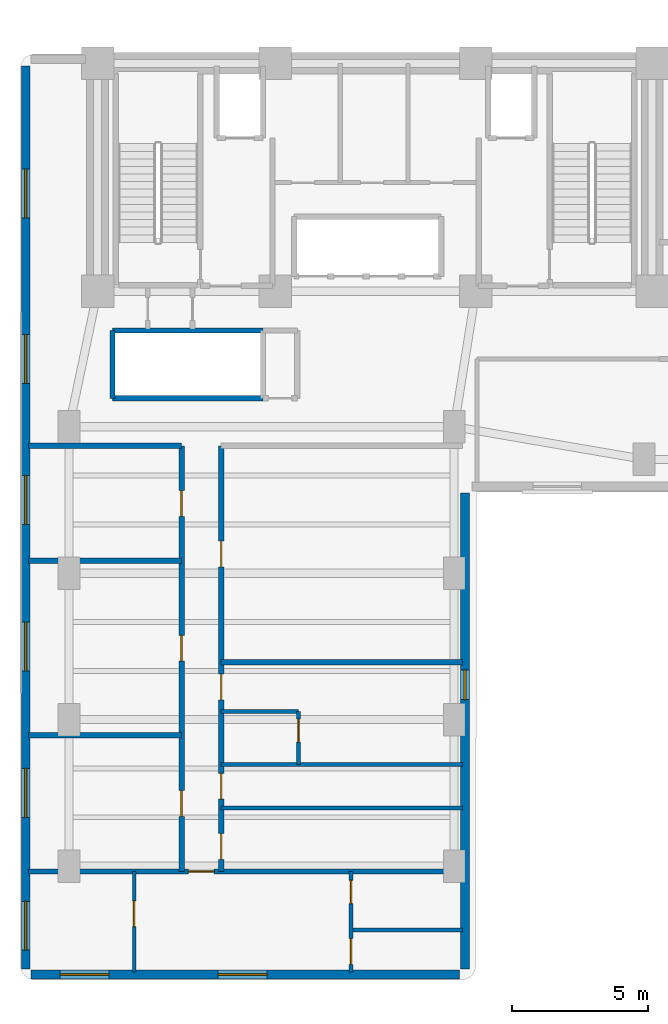
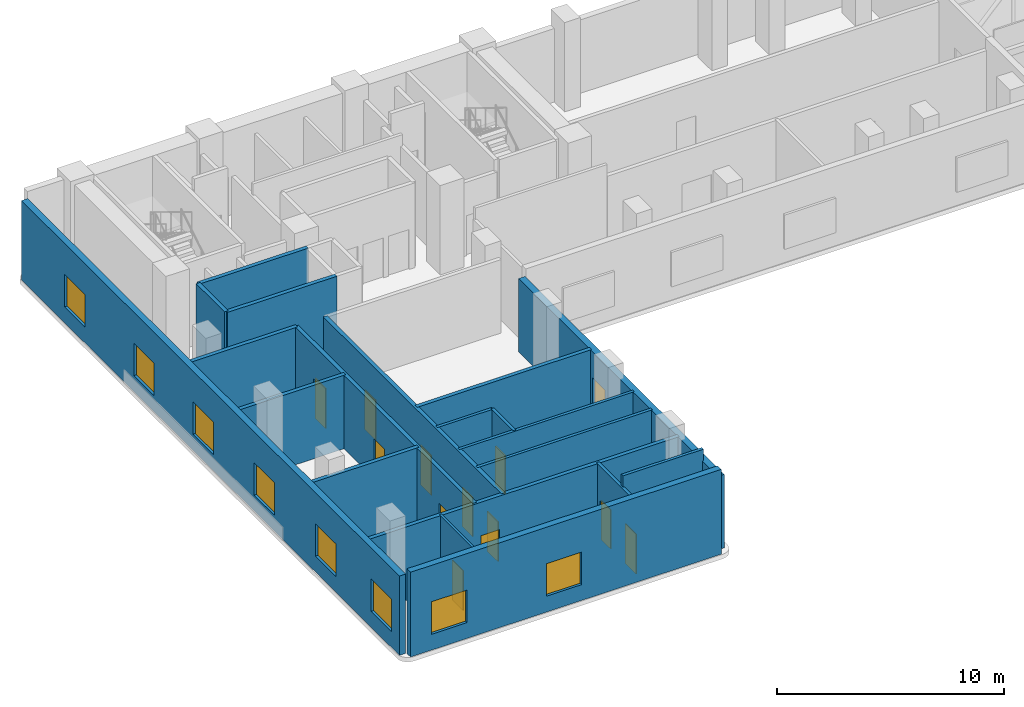
# One storey, part 11 of 17: 20 walls, 12 doors, 9 windows, 21 openings.
"""IFC4 building model written with IfcOpenShell, lengths in metres."""

import ifcopenshell
import ifcopenshell.guid

model = None  # the IFC model being written
_history = None  # IfcOwnerHistory: only IFC2X3 demands one
_inside = {}  # id of a spatial element -> (the spatial element, [elements in it])
_under = {}  # id of a project, library or spatial element -> (it, [spatial elements below it])
_declared = {}  # id of a project -> (the project, [libraries it declares])
_typed = {}  # id of a type object -> (the type object, [elements of that type])
_made_of = {}  # id of a material, layer set ... -> (it, [elements and type objects made of it])


def new_model(schema):
    """Start an empty IFC model of exactly this schema.

    Asked for "IFC4X3", IfcOpenShell would pick the latest addendum, in which some entities
    have other attributes; the version numbers below select the first issue.
    IFC2X3 requires an IfcOwnerHistory on every rooted entity: one is made here for all.
    """
    global model, _history
    if schema == "IFC4X3":
        model = ifcopenshell.file(schema_version=(4, 3, 0, 0))
    else:
        model = ifcopenshell.file(schema=schema)
    _inside.clear()
    _under.clear()
    _declared.clear()
    _typed.clear()
    _made_of.clear()
    _history = None
    if model.schema == "IFC2X3":
        org = make("IfcOrganization", Name="unknown")
        user = make(
            "IfcPersonAndOrganization",
            ThePerson=make("IfcPerson", FamilyName="unknown"),
            TheOrganization=org,
        )
        app = make(
            "IfcApplication",
            ApplicationDeveloper=org,
            Version="unknown",
            ApplicationFullName="unknown",
            ApplicationIdentifier="unknown",
        )
        _history = make(
            "IfcOwnerHistory",
            OwningUser=user,
            OwningApplication=app,
            ChangeAction="ADDED",
            CreationDate=0,
        )
    return model


def make(cls, **values):
    """One entity of the class cls with the attributes given. An attribute that is None is left unset."""
    return model.create_entity(
        cls, **{name: value for name, value in values.items() if value is not None}
    )


def rooted(cls, **values):
    """An entity with a GlobalId (a new one), such as an element, a storey or a relation."""
    return make(cls, GlobalId=ifcopenshell.guid.new(), OwnerHistory=_history, **values)


def si_unit(unit_type, name, prefix=None):
    """IfcSIUnit, for example si_unit("LENGTHUNIT", "METRE", prefix="MILLI")."""
    return make("IfcSIUnit", UnitType=unit_type, Prefix=prefix, Name=name)


def assignment(units):
    """IfcUnitAssignment: the units of a project."""
    return None if units is None else make("IfcUnitAssignment", Units=units)


def point(xyz):
    """IfcCartesianPoint."""
    return None if xyz is None else make("IfcCartesianPoint", Coordinates=xyz)


def direction(xyz):
    """IfcDirection."""
    return None if xyz is None else make("IfcDirection", DirectionRatios=xyz)


def frame(location, z_axis=None, x_axis=None):
    """IfcAxis2Placement3D, a coordinate frame: its origin and axes. An axis left out is left unset."""
    return make(
        "IfcAxis2Placement3D",
        Location=point(location),
        Axis=direction(z_axis),
        RefDirection=direction(x_axis),
    )


def frame_2d(location, x_axis=None):
    """IfcAxis2Placement2D, a coordinate frame in the plane: its origin and x axis."""
    return make(
        "IfcAxis2Placement2D", Location=point(location), RefDirection=direction(x_axis)
    )


def origin():
    """The frame at (0, 0, 0) with its axes left unset."""
    return frame((0.0, 0.0, 0.0))


def place(relative_to, where):
    """IfcLocalPlacement: puts the frame where relative to a parent placement (None: the world)."""
    return make(
        "IfcLocalPlacement", PlacementRelTo=relative_to, RelativePlacement=where
    )


def context(
    kind, dimensions, precision=None, world=None, true_north=None, identifier=None
):
    """IfcGeometricRepresentationContext, for example the 3D "Model" context."""
    return make(
        "IfcGeometricRepresentationContext",
        ContextIdentifier=identifier,
        ContextType=kind,
        CoordinateSpaceDimension=dimensions,
        Precision=precision,
        WorldCoordinateSystem=world,
        TrueNorth=true_north,
    )


def subcontext(parent, identifier, kind, view, scale=None):
    """IfcGeometricRepresentationSubContext, for example "Body" below "Model"."""
    return make(
        "IfcGeometricRepresentationSubContext",
        ContextIdentifier=identifier,
        ContextType=kind,
        ParentContext=parent,
        TargetScale=scale,
        TargetView=view,
    )


def project(units=None, contexts=None):
    """IfcProject with its units and contexts."""
    return rooted(
        "IfcProject",
        Name="project",
        RepresentationContexts=contexts,
        UnitsInContext=assignment(units),
    )


def spatial(cls, under=None, at=None, **own):
    """A site, building, storey or space (cls), placed at a placement, below another one or the project."""
    s = rooted(cls, ObjectPlacement=at, **own)
    if under is not None:
        _under.setdefault(under.id(), (under, []))[1].append(s)
    return s


def profile(cls, at=None, kind="AREA", **sizes):
    """A parametric profile (cls). Its sizes go by their IFC names, for example OverallWidth=200.0."""
    return make(cls, ProfileType=kind, Position=at, **sizes)


def rectangle(**sizes):
    """IfcRectangleProfileDef."""
    return profile("IfcRectangleProfileDef", **sizes)


def extrude(swept, where, along, depth):
    """IfcExtrudedAreaSolid: the profile swept, set in the frame where, extruded along a direction by depth."""
    return make(
        "IfcExtrudedAreaSolid",
        SweptArea=swept,
        Position=where,
        ExtrudedDirection=direction(along),
        Depth=depth,
    )


def shape(context_of_items, identifier, shape_type, items):
    """IfcShapeRepresentation: the items that make up one representation, for example the "Body"."""
    return make(
        "IfcShapeRepresentation",
        ContextOfItems=context_of_items,
        RepresentationIdentifier=identifier,
        RepresentationType=shape_type,
        Items=items,
    )


def material(Name=None, Category=None):
    """IfcMaterial."""
    return make("IfcMaterial", Name=Name, Category=Category)


def layer(
    of_material, thickness, ventilated=None, Name=None, Category=None, Priority=None
):
    """IfcMaterialLayer: one layer of a wall or slab, of a material (None: an air gap)."""
    return make(
        "IfcMaterialLayer",
        Material=of_material,
        LayerThickness=thickness,
        IsVentilated=ventilated,
        Name=Name,
        Category=Category,
        Priority=Priority,
    )


def layer_set(layers, Name=None):
    """IfcMaterialLayerSet."""
    return make("IfcMaterialLayerSet", MaterialLayers=layers, LayerSetName=Name)


def made_of(thing, what):
    """Note that an element or type object is made of a material, layer set ...; save() writes the relation."""
    if what is not None:
        _made_of.setdefault(what.id(), (what, []))[1].append(thing)
    return thing


def type_object(cls, material=None, **own):
    """A type object (cls), such as IfcWallType, which elements share."""
    return made_of(rooted(cls, **own), material)


def element(
    cls,
    number,
    at=None,
    inside=None,
    cuts=None,
    type_object=None,
    material=None,
    context=None,
    identifier="Body",
    shape_type=None,
    held_by="IfcProductDefinitionShape",
    body=None,
    shapes=None,
    **own,
):
    """One element of the class cls, such as IfcWall. Its Tag is "e" and its number.

    at: its placement. inside: the storey or other place that contains it. cuts: it is an
    opening in that element (IfcRelVoidsElement). A single representation is given by context,
    identifier, shape_type and body (its items); several are given by shapes. held_by: the class
    of the entity that holds the representations. save() writes the other relations.
    """
    e = rooted(cls, Tag="e%d" % number, ObjectPlacement=at, **own)
    if body is not None:
        shapes = [shape(context, identifier, shape_type, body)]
    if shapes is not None:
        e.Representation = make(held_by, Representations=shapes)
    if inside is not None:
        _inside.setdefault(inside.id(), (inside, []))[1].append(e)
    if cuts is not None:
        rooted(
            "IfcRelVoidsElement", RelatingBuildingElement=cuts, RelatedOpeningElement=e
        )
    if type_object is not None:
        _typed.setdefault(type_object.id(), (type_object, []))[1].append(e)
    return made_of(e, material)


def fill(opening, filler):
    """IfcRelFillsElement: the door or window that sits in an opening."""
    return rooted(
        "IfcRelFillsElement",
        RelatingOpeningElement=opening,
        RelatedBuildingElement=filler,
    )


def aggregate(whole, parts):
    """IfcRelAggregates: a whole, such as a stair, and the parts it consists of."""
    return rooted("IfcRelAggregates", RelatingObject=whole, RelatedObjects=parts)


def save(model, path):
    """Write the relations noted so far, then the file.

    IfcRelAggregates (storeys below a building ...), IfcRelContainedInSpatialStructure (elements
    in a storey), IfcRelDefinesByType, IfcRelAssociatesMaterial and IfcRelDeclares: one each for
    every whole, place, type object, material and project.
    """
    for whole, parts in _under.values():
        aggregate(whole, parts)
    for where, things in _inside.values():
        rooted(
            "IfcRelContainedInSpatialStructure",
            RelatedElements=things,
            RelatingStructure=where,
        )
    for kind, things in _typed.values():
        rooted("IfcRelDefinesByType", RelatedObjects=things, RelatingType=kind)
    for what, things in _made_of.values():
        rooted("IfcRelAssociatesMaterial", RelatedObjects=things, RelatingMaterial=what)
    for by, libraries in _declared.values():
        rooted("IfcRelDeclares", RelatingContext=by, RelatedDefinitions=libraries)
    model.write(path)


model = new_model("IFC4")

# Units and contexts
model_context = context("Model", 3, precision=1e-05, world=origin(), true_north=direction((0.0, 1.0)))
body_context = subcontext(model_context, "Body", "Model", "MODEL_VIEW")
ifc_project = project(units=[si_unit("LENGTHUNIT", "METRE"), si_unit("AREAUNIT", "SQUARE_METRE"), si_unit("VOLUMEUNIT", "CUBIC_METRE"), si_unit("PLANEANGLEUNIT", "RADIAN"), si_unit("MASSUNIT", "GRAM", prefix="KILO")], contexts=[model_context])

# Site, building, storey
site_placement = place(None, origin())
site = spatial("IfcSite", under=ifc_project, at=site_placement, CompositionType="ELEMENT")
building_placement = place(site_placement, origin())
building = spatial("IfcBuilding", under=site, at=building_placement, Name="Kuzgunbayir Cultural Tower", CompositionType="ELEMENT")
storey_placement = place(building_placement, frame((0.0, 0.0, 102.60009765625)))
storey = spatial("IfcBuildingStorey", under=building, at=storey_placement, Name="L29", CompositionType="ELEMENT", Elevation=102.60009765625)

# Wall, openings, windows
ifc_material_1 = material(Name="Travertine Buff Ashlar", Category="masonry")
ifc_layer_1 = layer(ifc_material_1, 0.320068359375)
ifc_layer_set_1 = layer_set([ifc_layer_1], Name="Travertine Buff Ashlar")
wall_type_1 = type_object("IfcWallType", Name="WAL-EXT-STONE-320", PredefinedType="STANDARD", material=ifc_layer_set_1)
wall_1_placement = place(storey_placement, frame((4.0, 8.60009765625, 0.0), z_axis=(0.0, 0.0, 1.0), x_axis=(1.0, 0.0, 0.0)))
wall_1 = element("IfcWall", 1, at=wall_1_placement, inside=storey, type_object=wall_type_1, Name="L29 Wing A South Limestone Wall", PredefinedType="STANDARD", context=body_context, shape_type="SweptSolid", body=[
    extrude(rectangle(XDim=15.800048828125, YDim=0.320068359375, at=frame_2d((7.89990234375, 0.0))), origin(), (0.0, 0.0, 1.0), 4.559814453125),
])
opening_1_placement = place(wall_1_placement, frame((1.070068359375, 0.0, 0.85009765625)))
opening_1 = element("IfcOpeningElement", 2, at=opening_1_placement, cuts=wall_1, Name="Opening WH-18", PredefinedType="OPENING", context=body_context, shape_type="SweptSolid", body=[
    extrude(rectangle(XDim=1.800048828125, YDim=1.75, at=frame_2d((0.89990234375, 0.875))), frame((0.0, 0.169921875, 0.0), z_axis=(0.0, -1.0, 0.0), x_axis=(1.0, 0.0, 0.0)), (0.0, 0.0, 1.0), 0.340087890625),
])
opening_2_placement = place(wall_1_placement, frame((6.89990234375, 0.0, 0.85009765625)))
opening_2 = element("IfcOpeningElement", 3, at=opening_2_placement, cuts=wall_1, Name="Opening WH-18", PredefinedType="OPENING", context=body_context, shape_type="SweptSolid", body=[
    extrude(rectangle(XDim=1.800048828125, YDim=1.75, at=frame_2d((0.89990234375, 0.875))), frame((0.0, 0.169921875, 0.0), z_axis=(0.0, -1.0, 0.0), x_axis=(1.0, 0.0, 0.0)), (0.0, 0.0, 1.0), 0.340087890625),
])
ifc_material_2 = material(Name="Solar-Control Triple Glazing", Category="glass")
window_type_1 = type_object("IfcWindowType", Name="WIN-HOTEL-18", PartitioningType="SINGLE_PANEL", PredefinedType="WINDOW", material=ifc_material_2)
window_1_placement = place(opening_1_placement, origin())
window_1 = element("IfcWindow", 4, at=window_1_placement, inside=storey, type_object=window_type_1, Name="L29 WAS Facade Window 1", OverallHeight=1.75, OverallWidth=1.800048828125, PartitioningType="SINGLE_PANEL", PredefinedType="WINDOW", context=body_context, shape_type="SweptSolid", body=[
    extrude(rectangle(XDim=1.800048828125, YDim=1.75, at=frame_2d((0.89990234375, 0.875))), frame((0.0, 0.030029296875, 0.0), z_axis=(0.0, -1.0, 0.0), x_axis=(1.0, 0.0, 0.0)), (0.0, 0.0, 1.0), 0.06005859375),
])
fill(opening_1, window_1)
window_2_placement = place(opening_2_placement, origin())
window_2 = element("IfcWindow", 5, at=window_2_placement, inside=storey, type_object=window_type_1, Name="L29 WAS Facade Window 2", OverallHeight=1.75, OverallWidth=1.800048828125, PartitioningType="SINGLE_PANEL", PredefinedType="WINDOW", context=body_context, shape_type="SweptSolid", body=[
    extrude(rectangle(XDim=1.800048828125, YDim=1.75, at=frame_2d((0.89990234375, 0.875))), frame((0.0, 0.030029296875, 0.0), z_axis=(0.0, -1.0, 0.0), x_axis=(1.0, 0.0, 0.0)), (0.0, 0.0, 1.0), 0.06005859375),
])
fill(opening_2, window_2)

wall_2_placement = place(storey_placement, frame((3.800048828125, 42.10009765625, 0.0), z_axis=(0.0, 0.0, 1.0), x_axis=(0.0, -1.0, 0.0)))
wall_2 = element("IfcWall", 6, at=wall_2_placement, inside=storey, type_object=wall_type_1, Name="L29 Wing A West Limestone Wall", PredefinedType="STANDARD", context=body_context, shape_type="SweptSolid", body=[
    extrude(rectangle(XDim=33.300048828125, YDim=0.320068359375, at=frame_2d((16.64990234375, 0.0))), origin(), (0.0, 0.0, 1.0), 4.260009765625),
])
opening_3_placement = place(wall_2_placement, frame((30.800048828125, 0.0, 0.85009765625)))
opening_3 = element("IfcOpeningElement", 7, at=opening_3_placement, cuts=wall_2, Name="Opening WH-18", PredefinedType="OPENING", context=body_context, shape_type="SweptSolid", body=[
    extrude(rectangle(XDim=1.800048828125, YDim=1.75, at=frame_2d((0.89990234375, 0.875))), frame((0.0, 0.169921875, 0.0), z_axis=(0.0, -1.0, 0.0), x_axis=(1.0, 0.0, 0.0)), (0.0, 0.0, 1.0), 0.340087890625),
])
opening_4_placement = place(wall_2_placement, frame((25.89990234375, 0.0, 0.85009765625)))
opening_4 = element("IfcOpeningElement", 8, at=opening_4_placement, cuts=wall_2, Name="Opening WH-18", PredefinedType="OPENING", context=body_context, shape_type="SweptSolid", body=[
    extrude(rectangle(XDim=1.800048828125, YDim=1.75, at=frame_2d((0.89990234375, 0.875))), frame((0.0, 0.169921875, 0.0), z_axis=(0.0, -1.0, 0.0), x_axis=(1.0, 0.0, 0.0)), (0.0, 0.0, 1.0), 0.340087890625),
])
opening_5_placement = place(wall_2_placement, frame((20.5, 0.0, 0.85009765625)))
opening_5 = element("IfcOpeningElement", 9, at=opening_5_placement, cuts=wall_2, Name="Opening WH-18", PredefinedType="OPENING", context=body_context, shape_type="SweptSolid", body=[
    extrude(rectangle(XDim=1.800048828125, YDim=1.75, at=frame_2d((0.89990234375, 0.875))), frame((0.0, 0.169921875, 0.0), z_axis=(0.0, -1.0, 0.0), x_axis=(1.0, 0.0, 0.0)), (0.0, 0.0, 1.0), 0.340087890625),
])
opening_6_placement = place(wall_2_placement, frame((15.10009765625, 0.0, 0.85009765625)))
opening_6 = element("IfcOpeningElement", 10, at=opening_6_placement, cuts=wall_2, Name="Opening WH-18", PredefinedType="OPENING", context=body_context, shape_type="SweptSolid", body=[
    extrude(rectangle(XDim=1.800048828125, YDim=1.75, at=frame_2d((0.89990234375, 0.875))), frame((0.0, 0.169921875, 0.0), z_axis=(0.0, -1.0, 0.0), x_axis=(1.0, 0.0, 0.0)), (0.0, 0.0, 1.0), 0.340087890625),
])
opening_7_placement = place(wall_2_placement, frame((9.89990234375, 0.0, 0.85009765625)))
opening_7 = element("IfcOpeningElement", 11, at=opening_7_placement, cuts=wall_2, Name="Opening WH-18", PredefinedType="OPENING", context=body_context, shape_type="SweptSolid", body=[
    extrude(rectangle(XDim=1.800048828125, YDim=1.75, at=frame_2d((0.89990234375, 0.875))), frame((0.0, 0.169921875, 0.0), z_axis=(0.0, -1.0, 0.0), x_axis=(1.0, 0.0, 0.0)), (0.0, 0.0, 1.0), 0.340087890625),
])
opening_8_placement = place(wall_2_placement, frame((3.800048828125, 0.0, 0.85009765625)))
opening_8 = element("IfcOpeningElement", 12, at=opening_8_placement, cuts=wall_2, Name="Opening WH-18", PredefinedType="OPENING", context=body_context, shape_type="SweptSolid", body=[
    extrude(rectangle(XDim=1.800048828125, YDim=1.75, at=frame_2d((0.89990234375, 0.875))), frame((0.0, 0.169921875, 0.0), z_axis=(0.0, -1.0, 0.0), x_axis=(1.0, 0.0, 0.0)), (0.0, 0.0, 1.0), 0.340087890625),
])
window_3_placement = place(opening_3_placement, origin())
window_3 = element("IfcWindow", 13, at=window_3_placement, inside=storey, type_object=window_type_1, Name="L29 WAW Facade Window 4", OverallHeight=1.75, OverallWidth=1.800048828125, PartitioningType="SINGLE_PANEL", PredefinedType="WINDOW", context=body_context, shape_type="SweptSolid", body=[
    extrude(rectangle(XDim=1.800048828125, YDim=1.75, at=frame_2d((0.89990234375, 0.875))), frame((0.0, 0.030029296875, 0.0), z_axis=(0.0, -1.0, 0.0), x_axis=(1.0, 0.0, 0.0)), (0.0, 0.0, 1.0), 0.06005859375),
])
fill(opening_3, window_3)
window_4_placement = place(opening_4_placement, origin())
window_4 = element("IfcWindow", 14, at=window_4_placement, inside=storey, type_object=window_type_1, Name="L29 WAW Facade Window 5", OverallHeight=1.75, OverallWidth=1.800048828125, PartitioningType="SINGLE_PANEL", PredefinedType="WINDOW", context=body_context, shape_type="SweptSolid", body=[
    extrude(rectangle(XDim=1.800048828125, YDim=1.75, at=frame_2d((0.89990234375, 0.875))), frame((0.0, 0.030029296875, 0.0), z_axis=(0.0, -1.0, 0.0), x_axis=(1.0, 0.0, 0.0)), (0.0, 0.0, 1.0), 0.06005859375),
])
fill(opening_4, window_4)
window_5_placement = place(opening_5_placement, origin())
window_5 = element("IfcWindow", 15, at=window_5_placement, inside=storey, type_object=window_type_1, Name="L29 WAW Facade Window 6", OverallHeight=1.75, OverallWidth=1.800048828125, PartitioningType="SINGLE_PANEL", PredefinedType="WINDOW", context=body_context, shape_type="SweptSolid", body=[
    extrude(rectangle(XDim=1.800048828125, YDim=1.75, at=frame_2d((0.89990234375, 0.875))), frame((0.0, 0.030029296875, 0.0), z_axis=(0.0, -1.0, 0.0), x_axis=(1.0, 0.0, 0.0)), (0.0, 0.0, 1.0), 0.06005859375),
])
fill(opening_5, window_5)
window_6_placement = place(opening_6_placement, origin())
window_6 = element("IfcWindow", 16, at=window_6_placement, inside=storey, type_object=window_type_1, Name="L29 WAW Facade Window 7", OverallHeight=1.75, OverallWidth=1.800048828125, PartitioningType="SINGLE_PANEL", PredefinedType="WINDOW", context=body_context, shape_type="SweptSolid", body=[
    extrude(rectangle(XDim=1.800048828125, YDim=1.75, at=frame_2d((0.89990234375, 0.875))), frame((0.0, 0.030029296875, 0.0), z_axis=(0.0, -1.0, 0.0), x_axis=(1.0, 0.0, 0.0)), (0.0, 0.0, 1.0), 0.06005859375),
])
fill(opening_6, window_6)
window_7_placement = place(opening_7_placement, origin())
window_7 = element("IfcWindow", 17, at=window_7_placement, inside=storey, type_object=window_type_1, Name="L29 WAW Facade Window 8", OverallHeight=1.75, OverallWidth=1.800048828125, PartitioningType="SINGLE_PANEL", PredefinedType="WINDOW", context=body_context, shape_type="SweptSolid", body=[
    extrude(rectangle(XDim=1.800048828125, YDim=1.75, at=frame_2d((0.89990234375, 0.875))), frame((0.0, 0.030029296875, 0.0), z_axis=(0.0, -1.0, 0.0), x_axis=(1.0, 0.0, 0.0)), (0.0, 0.0, 1.0), 0.06005859375),
])
fill(opening_7, window_7)
window_8_placement = place(opening_8_placement, origin())
window_8 = element("IfcWindow", 18, at=window_8_placement, inside=storey, type_object=window_type_1, Name="L29 WAW Facade Window 9", OverallHeight=1.75, OverallWidth=1.800048828125, PartitioningType="SINGLE_PANEL", PredefinedType="WINDOW", context=body_context, shape_type="SweptSolid", body=[
    extrude(rectangle(XDim=1.800048828125, YDim=1.75, at=frame_2d((0.89990234375, 0.875))), frame((0.0, 0.030029296875, 0.0), z_axis=(0.0, -1.0, 0.0), x_axis=(1.0, 0.0, 0.0)), (0.0, 0.0, 1.0), 0.06005859375),
])
fill(opening_8, window_8)

# Wall, opening, window
wall_3_placement = place(storey_placement, frame((20.0, 8.800048828125, 0.0), z_axis=(0.0, 0.0, 1.0), x_axis=(0.0, 1.0, 0.0)))
wall_3 = element("IfcWall", 19, at=wall_3_placement, inside=storey, type_object=wall_type_1, Name="L29 Wing A East Limestone Wall", PredefinedType="STANDARD", context=body_context, shape_type="SweptSolid", body=[
    extrude(rectangle(XDim=17.550048828125, YDim=0.320068359375, at=frame_2d((8.77490234375, 0.0))), origin(), (0.0, 0.0, 1.0), 3.949951171875),
])
opening_9_placement = place(wall_3_placement, frame((9.93994140625, 0.0, 0.85009765625)))
opening_9 = element("IfcOpeningElement", 20, at=opening_9_placement, cuts=wall_3, Name="Opening WN-11", PredefinedType="OPENING", context=body_context, shape_type="SweptSolid", body=[
    extrude(rectangle(XDim=1.10009765625, YDim=1.699951171875, at=frame_2d((0.550048828125, 0.85009765625))), frame((0.0, 0.169921875, 0.0), z_axis=(0.0, -1.0, 0.0), x_axis=(1.0, 0.0, 0.0)), (0.0, 0.0, 1.0), 0.340087890625),
])
window_type_2 = type_object("IfcWindowType", Name="WIN-NARROW-11", PartitioningType="SINGLE_PANEL", PredefinedType="WINDOW", material=ifc_material_2)
window_9_placement = place(opening_9_placement, origin())
window_9 = element("IfcWindow", 21, at=window_9_placement, inside=storey, type_object=window_type_2, Name="L29 WAE Facade Window 3", OverallHeight=1.699951171875, OverallWidth=1.10009765625, PartitioningType="SINGLE_PANEL", PredefinedType="WINDOW", context=body_context, shape_type="SweptSolid", body=[
    extrude(rectangle(XDim=1.10009765625, YDim=1.699951171875, at=frame_2d((0.550048828125, 0.85009765625))), frame((0.0, 0.030029296875, 0.0), z_axis=(0.0, -1.0, 0.0), x_axis=(1.0, 0.0, 0.0)), (0.0, 0.0, 1.0), 0.06005859375),
])
fill(opening_9, window_9)

# Wall
ifc_material_3 = material(Name="Acoustic Double-Stud Drywall", Category="gypsum")
ifc_layer_2 = layer(ifc_material_3, 0.14990234375)
ifc_layer_set_2 = layer_set([ifc_layer_2], Name="Acoustic Double-Stud Drywall")
wall_type_2 = type_object("IfcWallType", Name="WAL-PART-ACOUSTIC-150", PredefinedType="PARTITIONING", material=ifc_layer_set_2)
wall_4_placement = place(storey_placement, frame((11.010009765625, 14.75, 0.0), z_axis=(0.0, 0.0, 1.0), x_axis=(1.0, 0.0, 0.0)))
element("IfcWall", 22, at=wall_4_placement, inside=storey, type_object=wall_type_2, Name="L29 Housekeeping North Wall", PredefinedType="PARTITIONING", context=body_context, shape_type="SweptSolid", body=[
    extrude(rectangle(XDim=8.889892578125, YDim=0.14990234375, at=frame_2d((4.44482421875, 0.0))), origin(), (0.0, 0.0, 1.0), 3.949951171875),
])

# Wall, openings, doors
ifc_material_4 = material(Name="Aerated Concrete Blockwork", Category="masonry")
ifc_layer_3 = layer(ifc_material_4, 0.199951171875)
ifc_layer_set_3 = layer_set([ifc_layer_3], Name="Aerated Concrete Blockwork")
wall_type_3 = type_object("IfcWallType", Name="WAL-PART-FIRE-200", PredefinedType="PARTITIONING", material=ifc_layer_set_3)
wall_5_placement = place(storey_placement, frame((9.550048828125, 12.39990234375, 0.0), z_axis=(0.0, 0.0, 1.0), x_axis=(0.0, 1.0, 0.0)))
wall_5 = element("IfcWall", 23, at=wall_5_placement, inside=storey, type_object=wall_type_3, Name="L29 Wing A West Corridor Wall", PredefinedType="PARTITIONING", context=body_context, shape_type="SweptSolid", body=[
    extrude(rectangle(XDim=15.7001953125, YDim=0.199951171875, at=frame_2d((7.85009765625, 0.0))), origin(), (0.0, 0.0, 1.0), 3.949951171875),
])
opening_10_placement = place(wall_5_placement, frame((2.030029296875, 0.0, 0.0)))
opening_10 = element("IfcOpeningElement", 24, at=opening_10_placement, cuts=wall_5, Name="Opening DI-90", PredefinedType="OPENING", context=body_context, shape_type="SweptSolid", body=[
    extrude(rectangle(XDim=0.949951171875, YDim=2.14990234375, at=frame_2d((0.47509765625, 1.074951171875))), frame((0.0, 0.10986328125, 0.0), z_axis=(0.0, -1.0, 0.0), x_axis=(1.0, 0.0, 0.0)), (0.0, 0.0, 1.0), 0.219970703125),
])
opening_11_placement = place(wall_5_placement, frame((7.760009765625, 0.0, 0.0)))
opening_11 = element("IfcOpeningElement", 25, at=opening_11_placement, cuts=wall_5, Name="Opening DI-90", PredefinedType="OPENING", context=body_context, shape_type="SweptSolid", body=[
    extrude(rectangle(XDim=0.949951171875, YDim=2.14990234375, at=frame_2d((0.47509765625, 1.074951171875))), frame((0.0, 0.10986328125, 0.0), z_axis=(0.0, -1.0, 0.0), x_axis=(1.0, 0.0, 0.0)), (0.0, 0.0, 1.0), 0.219970703125),
])
opening_12_placement = place(wall_5_placement, frame((13.10009765625, 0.0, 0.0)))
opening_12 = element("IfcOpeningElement", 26, at=opening_12_placement, cuts=wall_5, Name="Opening DI-90", PredefinedType="OPENING", context=body_context, shape_type="SweptSolid", body=[
    extrude(rectangle(XDim=0.949951171875, YDim=2.14990234375, at=frame_2d((0.47509765625, 1.074951171875))), frame((0.0, 0.10986328125, 0.0), z_axis=(0.0, -1.0, 0.0), x_axis=(1.0, 0.0, 0.0)), (0.0, 0.0, 1.0), 0.219970703125),
])
ifc_material_5 = material(Name="Veneered Oak Single Leaf", Category="wood")
door_type_1 = type_object("IfcDoorType", Name="DR-INT-90", OperationType="NOTDEFINED", PredefinedType="DOOR", material=ifc_material_5)
door_1_placement = place(opening_10_placement, origin())
door_1 = element("IfcDoor", 27, at=door_1_placement, inside=storey, type_object=door_type_1, Name="L29 Fellows Reading Lounge 1 Door", OperationType="SINGLE_SWING_RIGHT", OverallHeight=2.14990234375, OverallWidth=0.949951171875, PredefinedType="DOOR", context=body_context, shape_type="SweptSolid", body=[
    extrude(rectangle(XDim=0.949951171875, YDim=2.14990234375, at=frame_2d((0.47509765625, 1.074951171875))), frame((0.0, 0.02490234375, 0.0), z_axis=(0.0, -1.0, 0.0), x_axis=(1.0, 0.0, 0.0)), (0.0, 0.0, 1.0), 0.050048828125),
])
fill(opening_10, door_1)
door_2_placement = place(opening_11_placement, origin())
door_2 = element("IfcDoor", 28, at=door_2_placement, inside=storey, type_object=door_type_1, Name="L29 Fellows Reading Lounge 2 Door", OperationType="SINGLE_SWING_LEFT", OverallHeight=2.14990234375, OverallWidth=0.949951171875, PredefinedType="DOOR", context=body_context, shape_type="SweptSolid", body=[
    extrude(rectangle(XDim=0.949951171875, YDim=2.14990234375, at=frame_2d((0.47509765625, 1.074951171875))), frame((0.0, 0.02490234375, 0.0), z_axis=(0.0, -1.0, 0.0), x_axis=(1.0, 0.0, 0.0)), (0.0, 0.0, 1.0), 0.050048828125),
])
fill(opening_11, door_2)
door_3_placement = place(opening_12_placement, origin())
door_3 = element("IfcDoor", 29, at=door_3_placement, inside=storey, type_object=door_type_1, Name="L29 Fellows Reading Lounge 3 Door", OperationType="SINGLE_SWING_RIGHT", OverallHeight=2.14990234375, OverallWidth=0.949951171875, PredefinedType="DOOR", context=body_context, shape_type="SweptSolid", body=[
    extrude(rectangle(XDim=0.949951171875, YDim=2.14990234375, at=frame_2d((0.47509765625, 1.074951171875))), frame((0.0, 0.02490234375, 0.0), z_axis=(0.0, -1.0, 0.0), x_axis=(1.0, 0.0, 0.0)), (0.0, 0.0, 1.0), 0.050048828125),
])
fill(opening_12, door_3)

wall_6_placement = place(storey_placement, frame((11.010009765625, 12.39990234375, 0.0), z_axis=(0.0, 0.0, 1.0), x_axis=(0.0, 1.0, 0.0)))
wall_6 = element("IfcWall", 30, at=wall_6_placement, inside=storey, type_object=wall_type_3, Name="L29 Wing A East Corridor Wall", PredefinedType="PARTITIONING", context=body_context, shape_type="SweptSolid", body=[
    extrude(rectangle(XDim=15.7001953125, YDim=0.199951171875, at=frame_2d((7.85009765625, 0.0))), origin(), (0.0, 0.0, 1.0), 3.949951171875),
])
opening_13_placement = place(wall_6_placement, frame((0.449951171875, 0.0, 0.0)))
opening_13 = element("IfcOpeningElement", 31, at=opening_13_placement, cuts=wall_6, Name="Opening DI-90", PredefinedType="OPENING", context=body_context, shape_type="SweptSolid", body=[
    extrude(rectangle(XDim=0.949951171875, YDim=2.14990234375, at=frame_2d((0.47509765625, 1.074951171875))), frame((0.0, 0.10986328125, 0.0), z_axis=(0.0, -1.0, 0.0), x_axis=(1.0, 0.0, 0.0)), (0.0, 0.0, 1.0), 0.219970703125),
])
opening_14_placement = place(wall_6_placement, frame((2.669921875, 0.0, 0.0)))
opening_14 = element("IfcOpeningElement", 32, at=opening_14_placement, cuts=wall_6, Name="Opening DW-95", PredefinedType="OPENING", context=body_context, shape_type="SweptSolid", body=[
    extrude(rectangle(XDim=0.949951171875, YDim=2.10009765625, at=frame_2d((0.47509765625, 1.050048828125))), frame((0.0, 0.10986328125, 0.0), z_axis=(0.0, -1.0, 0.0), x_axis=(1.0, 0.0, 0.0)), (0.0, 0.0, 1.0), 0.219970703125),
])
opening_15_placement = place(wall_6_placement, frame((11.22998046875, 0.0, 0.0)))
opening_15 = element("IfcOpeningElement", 33, at=opening_15_placement, cuts=wall_6, Name="Opening DI-90", PredefinedType="OPENING", context=body_context, shape_type="SweptSolid", body=[
    extrude(rectangle(XDim=0.949951171875, YDim=2.14990234375, at=frame_2d((0.47509765625, 1.074951171875))), frame((0.0, 0.10986328125, 0.0), z_axis=(0.0, -1.0, 0.0), x_axis=(1.0, 0.0, 0.0)), (0.0, 0.0, 1.0), 0.219970703125),
])
opening_16_placement = place(wall_6_placement, frame((6.330078125, 0.0, 0.0)))
opening_16 = element("IfcOpeningElement", 34, at=opening_16_placement, cuts=wall_6, Name="Opening DR-APT-60", PredefinedType="OPENING", context=body_context, shape_type="SweptSolid", body=[
    extrude(rectangle(XDim=0.949951171875, YDim=2.14990234375, at=frame_2d((0.47509765625, 1.074951171875))), frame((0.0, 0.10986328125, 0.0), z_axis=(0.0, -1.0, 0.0), x_axis=(1.0, 0.0, 0.0)), (0.0, 0.0, 1.0), 0.219970703125),
])
ifc_material_6 = material(Name="Acoustic Fire Timber Leaf", Category="wood")
door_type_2 = type_object("IfcDoorType", Name="DR-APT-60", OperationType="NOTDEFINED", PredefinedType="DOOR", material=ifc_material_6)
door_4_placement = place(opening_16_placement, origin())
door_4 = element("IfcDoor", 35, at=door_4_placement, inside=storey, type_object=door_type_2, Name="L29 Guest Suite E1 Entrance", OperationType="SINGLE_SWING_LEFT", OverallHeight=2.14990234375, OverallWidth=0.949951171875, PredefinedType="DOOR", context=body_context, shape_type="SweptSolid", body=[
    extrude(rectangle(XDim=0.949951171875, YDim=2.14990234375, at=frame_2d((0.47509765625, 1.074951171875))), frame((0.0, 0.02490234375, 0.0), z_axis=(0.0, -1.0, 0.0), x_axis=(1.0, 0.0, 0.0)), (0.0, 0.0, 1.0), 0.050048828125),
])
fill(opening_16, door_4)
door_5_placement = place(opening_13_placement, origin())
door_5 = element("IfcDoor", 36, at=door_5_placement, inside=storey, type_object=door_type_1, Name="L29 Housekeeping Room Door", OperationType="SINGLE_SWING_LEFT", OverallHeight=2.14990234375, OverallWidth=0.949951171875, PredefinedType="DOOR", context=body_context, shape_type="SweptSolid", body=[
    extrude(rectangle(XDim=0.949951171875, YDim=2.14990234375, at=frame_2d((0.47509765625, 1.074951171875))), frame((0.0, 0.02490234375, 0.0), z_axis=(0.0, -1.0, 0.0), x_axis=(1.0, 0.0, 0.0)), (0.0, 0.0, 1.0), 0.050048828125),
])
fill(opening_13, door_5)
door_6_placement = place(opening_15_placement, origin())
door_6 = element("IfcDoor", 37, at=door_6_placement, inside=storey, type_object=door_type_1, Name="L29 Fellows Reading Lounge E1 Door", OperationType="SINGLE_SWING_LEFT", OverallHeight=2.14990234375, OverallWidth=0.949951171875, PredefinedType="DOOR", context=body_context, shape_type="SweptSolid", body=[
    extrude(rectangle(XDim=0.949951171875, YDim=2.14990234375, at=frame_2d((0.47509765625, 1.074951171875))), frame((0.0, 0.02490234375, 0.0), z_axis=(0.0, -1.0, 0.0), x_axis=(1.0, 0.0, 0.0)), (0.0, 0.0, 1.0), 0.050048828125),
])
fill(opening_15, door_6)
ifc_material_7 = material(Name="Laminate Moisture-Resistant Leaf", Category="wood")
door_type_3 = type_object("IfcDoorType", Name="DR-WET-95", OperationType="NOTDEFINED", PredefinedType="DOOR", material=ifc_material_7)
door_7_placement = place(opening_14_placement, origin())
door_7 = element("IfcDoor", 38, at=door_7_placement, inside=storey, type_object=door_type_3, Name="L29 Accessible WC Door", OperationType="SINGLE_SWING_RIGHT", OverallHeight=2.10009765625, OverallWidth=0.949951171875, PredefinedType="DOOR", context=body_context, shape_type="SweptSolid", body=[
    extrude(rectangle(XDim=0.949951171875, YDim=2.10009765625, at=frame_2d((0.47509765625, 1.050048828125))), frame((0.0, 0.02490234375, 0.0), z_axis=(0.0, -1.0, 0.0), x_axis=(1.0, 0.0, 0.0)), (0.0, 0.0, 1.0), 0.050048828125),
])
fill(opening_14, door_7)

# Wall, opening, door
wall_7_placement = place(storey_placement, frame((3.89990234375, 12.39990234375, 0.0), z_axis=(0.0, 0.0, 1.0), x_axis=(1.0, 0.0, 0.0)))
wall_7 = element("IfcWall", 39, at=wall_7_placement, inside=storey, type_object=wall_type_3, Name="L29 South Cross Partition", PredefinedType="PARTITIONING", context=body_context, shape_type="SweptSolid", body=[
    extrude(rectangle(XDim=16.0, YDim=0.199951171875, at=frame_2d((8.0, 0.0))), origin(), (0.0, 0.0, 1.0), 3.949951171875),
])
opening_17_placement = place(wall_7_placement, frame((5.89990234375, 0.0, 0.0)))
opening_17 = element("IfcOpeningElement", 40, at=opening_17_placement, cuts=wall_7, Name="Opening DR-APT-60", PredefinedType="OPENING", context=body_context, shape_type="SweptSolid", body=[
    extrude(rectangle(XDim=0.949951171875, YDim=2.14990234375, at=frame_2d((0.47509765625, 1.074951171875))), frame((0.0, 0.10986328125, 0.0), z_axis=(0.0, -1.0, 0.0), x_axis=(1.0, 0.0, 0.0)), (0.0, 0.0, 1.0), 0.219970703125),
])
door_8_placement = place(opening_17_placement, origin())
door_8 = element("IfcDoor", 41, at=door_8_placement, inside=storey, type_object=door_type_2, Name="L29 Diplomatic Suite Entrance", OperationType="SINGLE_SWING_LEFT", OverallHeight=2.14990234375, OverallWidth=0.949951171875, PredefinedType="DOOR", context=body_context, shape_type="SweptSolid", body=[
    extrude(rectangle(XDim=0.949951171875, YDim=2.14990234375, at=frame_2d((0.47509765625, 1.074951171875))), frame((0.0, 0.02490234375, 0.0), z_axis=(0.0, -1.0, 0.0), x_axis=(1.0, 0.0, 0.0)), (0.0, 0.0, 1.0), 0.050048828125),
])
fill(opening_17, door_8)

# Walls
for number, where, z_axis, x_axis, name in (
    (42, (3.89990234375, 28.10009765625, 0.0), (0.0, 0.0, 1.0), (1.0, 0.0, 0.0), "L29 North West Partition"),
    (43, (3.89990234375, 17.419921875, 0.0), (0.0, 0.0, 1.0), (1.0, 0.0, 0.0), "L29 West Party Wall 1"),
    (44, (3.89990234375, 23.860107421875, 0.0), (0.0, 0.0, 1.0), (1.0, 0.0, 0.0), "L29 West Party Wall 2"),
):
    element("IfcWall", number, at=place(storey_placement, frame(where, z_axis=z_axis, x_axis=x_axis)), inside=storey, type_object=wall_type_3, Name=name, PredefinedType="PARTITIONING", context=body_context, shape_type="SweptSolid", body=[
        extrude(rectangle(XDim=5.650146484375, YDim=0.199951171875, at=frame_2d((2.8251953125, 0.0))), origin(), (0.0, 0.0, 1.0), 3.949951171875),
    ])
wall_8_placement = place(storey_placement, frame((11.010009765625, 20.1201171875, 0.0), z_axis=(0.0, 0.0, 1.0), x_axis=(1.0, 0.0, 0.0)))
element("IfcWall", 45, at=wall_8_placement, inside=storey, type_object=wall_type_3, Name="L29 Suite E1 Sub-Party Wall", PredefinedType="PARTITIONING", context=body_context, shape_type="SweptSolid", body=[
    extrude(rectangle(XDim=8.889892578125, YDim=0.199951171875, at=frame_2d((4.44482421875, 0.0))), origin(), (0.0, 0.0, 1.0), 3.949951171875),
])

# Wall, opening, door
ifc_material_8 = material(Name="Framed Gypsum Partition", Category="gypsum")
ifc_layer_4 = layer(ifc_material_8, 0.1201171875)
ifc_layer_set_4 = layer_set([ifc_layer_4], Name="Framed Gypsum Partition")
wall_type_4 = type_object("IfcWallType", Name="WAL-PART-INT-120", PredefinedType="PARTITIONING", material=ifc_layer_set_4)
wall_9_placement = place(storey_placement, frame((7.800048828125, 8.699951171875, 0.0), z_axis=(0.0, 0.0, 1.0), x_axis=(0.0, 1.0, 0.0)))
wall_9 = element("IfcWall", 46, at=wall_9_placement, inside=storey, type_object=wall_type_4, Name="L29 Diplomatic Suite Bedroom Wall", PredefinedType="PARTITIONING", context=body_context, shape_type="SweptSolid", body=[
    extrude(rectangle(XDim=3.699951171875, YDim=0.1201171875, at=frame_2d((1.85009765625, 0.0))), origin(), (0.0, 0.0, 1.0), 3.949951171875),
])
opening_18_placement = place(wall_9_placement, frame((1.669921875, 0.0, 0.0)))
opening_18 = element("IfcOpeningElement", 47, at=opening_18_placement, cuts=wall_9, Name="Opening DI-90", PredefinedType="OPENING", context=body_context, shape_type="SweptSolid", body=[
    extrude(rectangle(XDim=0.949951171875, YDim=2.14990234375, at=frame_2d((0.47509765625, 1.074951171875))), frame((0.0, 0.070068359375, 0.0), z_axis=(0.0, -1.0, 0.0), x_axis=(1.0, 0.0, 0.0)), (0.0, 0.0, 1.0), 0.14013671875),
])
door_9_placement = place(opening_18_placement, origin())
door_9 = element("IfcDoor", 48, at=door_9_placement, inside=storey, type_object=door_type_1, Name="L29 Diplomatic Bedroom Door", OperationType="SINGLE_SWING_RIGHT", OverallHeight=2.14990234375, OverallWidth=0.949951171875, PredefinedType="DOOR", context=body_context, shape_type="SweptSolid", body=[
    extrude(rectangle(XDim=0.949951171875, YDim=2.14990234375, at=frame_2d((0.47509765625, 1.074951171875))), frame((0.0, 0.02490234375, 0.0), z_axis=(0.0, -1.0, 0.0), x_axis=(1.0, 0.0, 0.0)), (0.0, 0.0, 1.0), 0.050048828125),
])
fill(opening_18, door_9)

# Wall, openings, doors
ifc_material_9 = material(Name="Moisture-Resistant Tile Partition", Category="gypsum")
ifc_layer_5 = layer(ifc_material_9, 0.14990234375)
ifc_layer_set_5 = layer_set([ifc_layer_5], Name="Moisture-Resistant Tile Partition")
wall_type_5 = type_object("IfcWallType", Name="WAL-PART-WET-150", PredefinedType="PARTITIONING", material=ifc_layer_set_5)
wall_10_placement = place(storey_placement, frame((15.800048828125, 8.699951171875, 0.0), z_axis=(0.0, 0.0, 1.0), x_axis=(0.0, 1.0, 0.0)))
wall_10 = element("IfcWall", 49, at=wall_10_placement, inside=storey, type_object=wall_type_5, Name="L29 Diplomatic Suite Service Wall", PredefinedType="PARTITIONING", context=body_context, shape_type="SweptSolid", body=[
    extrude(rectangle(XDim=3.699951171875, YDim=0.14990234375, at=frame_2d((1.85009765625, 0.0))), origin(), (0.0, 0.0, 1.0), 3.949951171875),
])
opening_19_placement = place(wall_10_placement, frame((0.280029296875, 0.0, 0.0)))
opening_19 = element("IfcOpeningElement", 50, at=opening_19_placement, cuts=wall_10, Name="Opening DI-90", PredefinedType="OPENING", context=body_context, shape_type="SweptSolid", body=[
    extrude(rectangle(XDim=0.949951171875, YDim=2.14990234375, at=frame_2d((0.47509765625, 1.074951171875))), frame((0.0, 0.0849609375, 0.0), z_axis=(0.0, -1.0, 0.0), x_axis=(1.0, 0.0, 0.0)), (0.0, 0.0, 1.0), 0.169921875),
])
opening_20_placement = place(wall_10_placement, frame((2.52001953125, 0.0, 0.0)))
opening_20 = element("IfcOpeningElement", 51, at=opening_20_placement, cuts=wall_10, Name="Opening DW-85", PredefinedType="OPENING", context=body_context, shape_type="SweptSolid", body=[
    extrude(rectangle(XDim=0.85009765625, YDim=2.10009765625, at=frame_2d((0.425048828125, 1.050048828125))), frame((0.0, 0.0849609375, 0.0), z_axis=(0.0, -1.0, 0.0), x_axis=(1.0, 0.0, 0.0)), (0.0, 0.0, 1.0), 0.169921875),
])
door_10_placement = place(opening_19_placement, origin())
door_10 = element("IfcDoor", 52, at=door_10_placement, inside=storey, type_object=door_type_1, Name="L29 Diplomatic Kitchen Door", OperationType="SINGLE_SWING_LEFT", OverallHeight=2.14990234375, OverallWidth=0.949951171875, PredefinedType="DOOR", context=body_context, shape_type="SweptSolid", body=[
    extrude(rectangle(XDim=0.949951171875, YDim=2.14990234375, at=frame_2d((0.47509765625, 1.074951171875))), frame((0.0, 0.02490234375, 0.0), z_axis=(0.0, -1.0, 0.0), x_axis=(1.0, 0.0, 0.0)), (0.0, 0.0, 1.0), 0.050048828125),
])
fill(opening_19, door_10)
door_type_4 = type_object("IfcDoorType", Name="DR-WET-85", OperationType="NOTDEFINED", PredefinedType="DOOR", material=ifc_material_7)
door_11_placement = place(opening_20_placement, origin())
door_11 = element("IfcDoor", 53, at=door_11_placement, inside=storey, type_object=door_type_4, Name="L29 Diplomatic Bathroom Door", OperationType="SINGLE_SWING_RIGHT", OverallHeight=2.10009765625, OverallWidth=0.85009765625, PredefinedType="DOOR", context=body_context, shape_type="SweptSolid", body=[
    extrude(rectangle(XDim=0.85009765625, YDim=2.10009765625, at=frame_2d((0.425048828125, 1.050048828125))), frame((0.0, 0.02490234375, 0.0), z_axis=(0.0, -1.0, 0.0), x_axis=(1.0, 0.0, 0.0)), (0.0, 0.0, 1.0), 0.050048828125),
])
fill(opening_20, door_11)

# Walls
wall_11_placement = place(storey_placement, frame((15.800048828125, 10.25, 0.0), z_axis=(0.0, 0.0, 1.0), x_axis=(1.0, 0.0, 0.0)))
element("IfcWall", 54, at=wall_11_placement, inside=storey, type_object=wall_type_5, Name="L29 Diplomatic Suite Bath Kitchen Divider", PredefinedType="PARTITIONING", context=body_context, shape_type="SweptSolid", body=[
    extrude(rectangle(XDim=4.099853515625, YDim=0.14990234375, at=frame_2d((2.0498046875, 0.0))), origin(), (0.0, 0.0, 1.0), 4.559814453125),
])
wall_12_placement = place(storey_placement, frame((11.010009765625, 16.35009765625, 0.0), z_axis=(0.0, 0.0, 1.0), x_axis=(1.0, 0.0, 0.0)))
element("IfcWall", 55, at=wall_12_placement, inside=storey, type_object=wall_type_5, Name="L29 Accessible WC North Wall", PredefinedType="PARTITIONING", context=body_context, shape_type="SweptSolid", body=[
    extrude(rectangle(XDim=8.889892578125, YDim=0.14990234375, at=frame_2d((4.44482421875, 0.0))), origin(), (0.0, 0.0, 1.0), 3.949951171875),
])
wall_13_placement = place(storey_placement, frame((11.010009765625, 18.300048828125, 0.0), z_axis=(0.0, 0.0, 1.0), x_axis=(1.0, 0.0, 0.0)))
element("IfcWall", 56, at=wall_13_placement, inside=storey, type_object=wall_type_5, Name="L29 Suite E1 En-Suite North Wall", PredefinedType="PARTITIONING", context=body_context, shape_type="SweptSolid", body=[
    extrude(rectangle(XDim=2.85009765625, YDim=0.14990234375, at=frame_2d((1.425048828125, 0.0))), origin(), (0.0, 0.0, 1.0), 3.949951171875),
])

# Wall, opening, door
wall_14_placement = place(storey_placement, frame((13.860107421875, 16.35009765625, 0.0), z_axis=(0.0, 0.0, 1.0), x_axis=(0.0, 1.0, 0.0)))
wall_14 = element("IfcWall", 57, at=wall_14_placement, inside=storey, type_object=wall_type_5, Name="L29 Suite E1 En-Suite East Wall", PredefinedType="PARTITIONING", context=body_context, shape_type="SweptSolid", body=[
    extrude(rectangle(XDim=1.949951171875, YDim=0.14990234375, at=frame_2d((0.97509765625, 0.0))), origin(), (0.0, 0.0, 1.0), 3.949951171875),
])
opening_21_placement = place(wall_14_placement, frame((0.820068359375, 0.0, 0.0)))
opening_21 = element("IfcOpeningElement", 58, at=opening_21_placement, cuts=wall_14, Name="Opening DW-85", PredefinedType="OPENING", context=body_context, shape_type="SweptSolid", body=[
    extrude(rectangle(XDim=0.85009765625, YDim=2.10009765625, at=frame_2d((0.425048828125, 1.050048828125))), frame((0.0, 0.0849609375, 0.0), z_axis=(0.0, -1.0, 0.0), x_axis=(1.0, 0.0, 0.0)), (0.0, 0.0, 1.0), 0.169921875),
])
door_12_placement = place(opening_21_placement, origin())
door_12 = element("IfcDoor", 59, at=door_12_placement, inside=storey, type_object=door_type_4, Name="L29 Suite E1 En-Suite Door", OperationType="SINGLE_SWING_RIGHT", OverallHeight=2.10009765625, OverallWidth=0.85009765625, PredefinedType="DOOR", context=body_context, shape_type="SweptSolid", body=[
    extrude(rectangle(XDim=0.85009765625, YDim=2.10009765625, at=frame_2d((0.425048828125, 1.050048828125))), frame((0.0, 0.02490234375, 0.0), z_axis=(0.0, -1.0, 0.0), x_axis=(1.0, 0.0, 0.0)), (0.0, 0.0, 1.0), 0.050048828125),
])
fill(opening_21, door_12)

# Walls
ifc_material_10 = material(Name="Concrete C40/50", Category="concrete")
ifc_layer_6 = layer(ifc_material_10, 0.199951171875)
ifc_layer_set_6 = layer_set([ifc_layer_6], Name="Concrete C40/50")
wall_type_6 = type_object("IfcWallType", Name="WAL-SHAFT-200", PredefinedType="MOVABLE", material=ifc_layer_set_6)
for number, where, z_axis, x_axis, name in (
    (60, (7.0, 29.85009765625, 0.0), (0.0, 0.0, 1.0), (1.0, 0.0, 0.0), "L29 High-Rise Lift Shaft South Wall"),
    (61, (7.0, 32.35009765625, 0.0), (0.0, 0.0, 1.0), (1.0, 0.0, 0.0), "L29 High-Rise Lift Shaft North Wall"),
):
    element("IfcWall", number, at=place(storey_placement, frame(where, z_axis=z_axis, x_axis=x_axis)), inside=storey, type_object=wall_type_6, Name=name, PredefinedType="MOVABLE", context=body_context, shape_type="SweptSolid", body=[
        extrude(rectangle(XDim=5.550048828125, YDim=0.199951171875, at=frame_2d((2.77490234375, 0.0))), origin(), (0.0, 0.0, 1.0), 4.559814453125),
    ])
wall_15_placement = place(storey_placement, frame((7.0, 29.85009765625, 0.0), z_axis=(0.0, 0.0, 1.0), x_axis=(0.0, 1.0, 0.0)))
element("IfcWall", 62, at=wall_15_placement, inside=storey, type_object=wall_type_6, Name="L29 High-Rise Lift Shaft West Wall", PredefinedType="MOVABLE", context=body_context, shape_type="SweptSolid", body=[
    extrude(rectangle(XDim=2.5, YDim=0.199951171875, at=frame_2d((1.25, 0.0))), origin(), (0.0, 0.0, 1.0), 4.559814453125),
])

save(model, "model.ifc")
